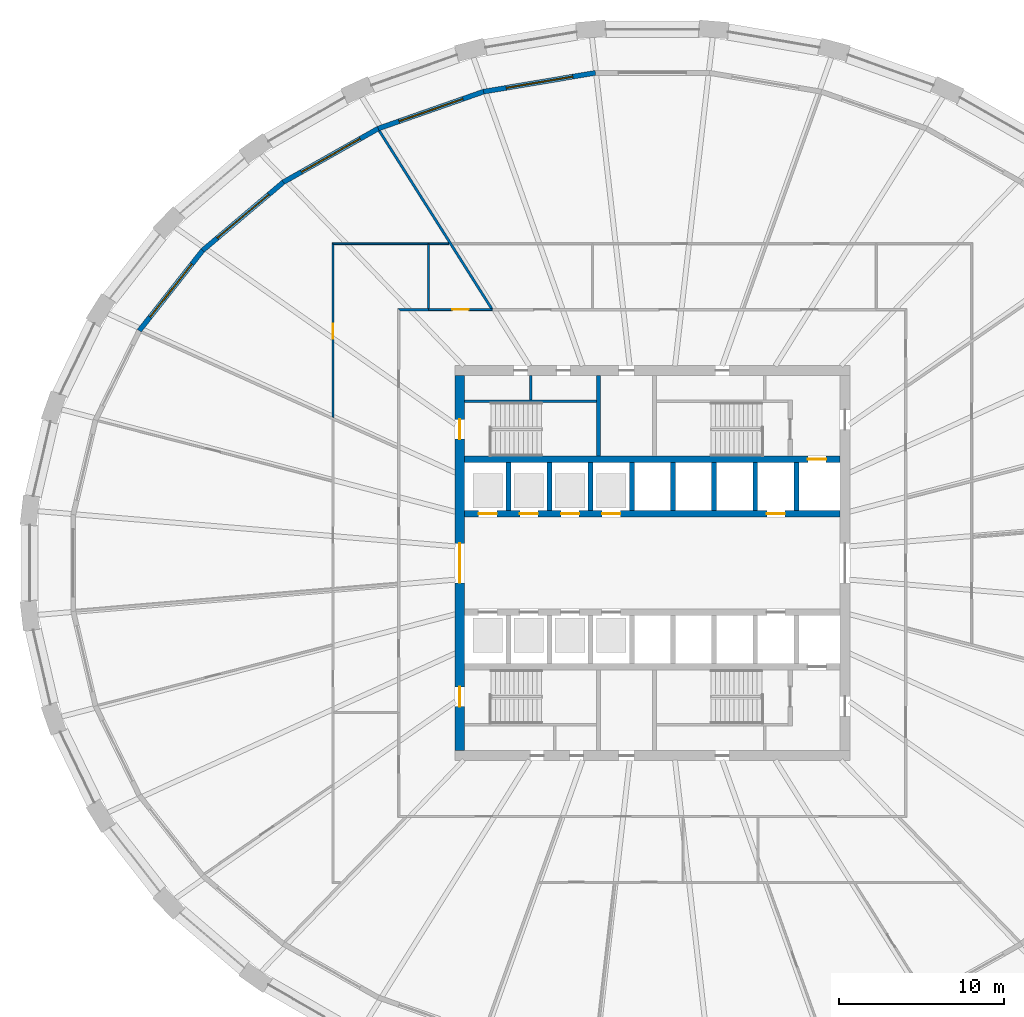
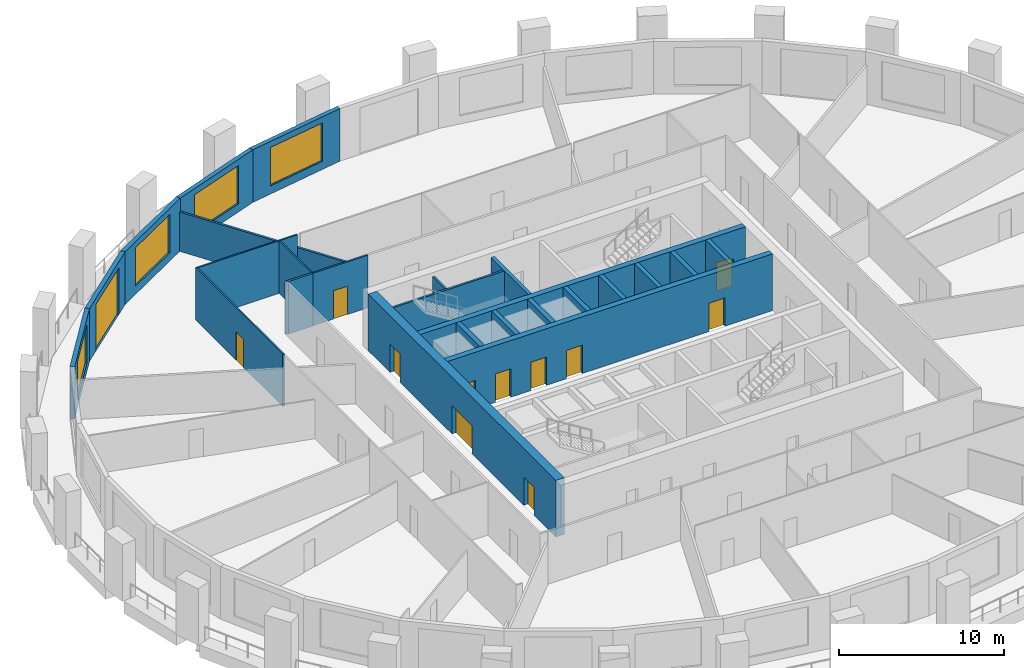
# One storey, part 6 of 12: 25 walls, 12 doors, 4 windows, 16 openings.
"""IFC4 building model written with IfcOpenShell, lengths in metres."""

from ifc_helpers import new_model, si_unit, direction, frame, frame_2d, origin, place, context, subcontext, project, spatial, polyline, rectangle, outline, extrude, material, layer, layer_set, type_object, element, fill, save


model = new_model("IFC4")

# Units and contexts
model_context = context("Model", 3, precision=1e-05, world=origin(), true_north=direction((0.0, 1.0)))
body_context = subcontext(model_context, "Body", "Model", "MODEL_VIEW")
ifc_project = project(units=[si_unit("LENGTHUNIT", "METRE"), si_unit("AREAUNIT", "SQUARE_METRE"), si_unit("VOLUMEUNIT", "CUBIC_METRE"), si_unit("PLANEANGLEUNIT", "RADIAN"), si_unit("MASSUNIT", "GRAM", prefix="KILO")], contexts=[model_context])

# Site, building, storey
site_placement = place(None, origin())
site = spatial("IfcSite", under=ifc_project, at=site_placement, CompositionType="ELEMENT")
building_placement = place(site_placement, origin())
building = spatial("IfcBuilding", under=site, at=building_placement, Name="Halqa Exchange Tower", CompositionType="ELEMENT")
storey_placement = place(building_placement, frame((0.0, 0.0, 27.699951171875)))
storey = spatial("IfcBuildingStorey", under=building, at=storey_placement, Name="L05", CompositionType="ELEMENT", Elevation=27.699951171875)

# Walls
ifc_material_1 = material(Name="Fire-rated gypsum board")
ifc_layer_1 = layer(ifc_material_1, 0.14990234375)
ifc_layer_set_1 = layer_set([ifc_layer_1], Name="Fire-rated gypsum board")
wall_type_1 = type_object("IfcWallType", Name="Fire partition EI 60 150", PredefinedType="PARTITIONING", material=ifc_layer_set_1)
wall_1_placement = place(storey_placement, frame((-16.59228515625, 26.260498046875, 0.0), z_axis=(0.0, 0.0, 1.0), x_axis=(0.534158681269, -0.845384234077, 0.0)))
element("IfcWall", 1, at=wall_1_placement, inside=storey, type_object=wall_type_1, Name="L05-PWL-013", PredefinedType="PARTITIONING", context=body_context, shape_type="SweptSolid", body=[
    extrude(outline(polyline([(0.0, -0.074951171875), (1.601806640625, -0.074951171875), (3.20361328125, -0.074951171875), (4.80517578125, -0.074951171875), (6.406982421875, -0.074951171875), (8.0087890625, -0.074951171875), (8.01025390625, -0.07275390625), (8.013916015625, -0.074951171875), (9.58544921875, -0.074951171875), (11.156982421875, -0.074951171875), (12.728515625, -0.074951171875), (12.78173828125, 0.009521484375), (12.78173828125, 0.009521484375), (12.796142578125, 0.031982421875), (12.783447265625, 0.0400390625), (12.805419921875, 0.074951171875), (12.805419921875, 0.074951171875), (11.277587890625, 0.074951171875), (9.749755859375, 0.074951171875), (8.2216796875, 0.074951171875), (8.22021484375, 0.072509765625), (8.216552734375, 0.074951171875), (6.577392578125, 0.074951171875), (4.9384765625, 0.074951171875), (3.29931640625, 0.074951171875), (1.660400390625, 0.074951171875), (0.021240234375, 0.074951171875), (0.00341796875, -0.003173828125), (0.0, -0.0703125), (0.0, -0.074951171875)])), origin(), (0.0, 0.0, 1.0), 2.91015625),
])
wall_2_placement = place(storey_placement, frame((-15.47509765625, 15.39990234375, 0.0), z_axis=(0.0, 0.0, 1.0), x_axis=(1.0, 0.0, 0.0)))
element("IfcWall", 2, at=wall_2_placement, inside=storey, type_object=wall_type_1, Name="L05-PWL-017", PredefinedType="PARTITIONING", context=body_context, shape_type="SweptSolid", body=[
    extrude(outline(polyline([(1.875, 0.074951171875), (0.000244140625, 0.074951171875), (0.150146484375, -0.074951171875), (1.875, -0.074951171875), (1.875, 0.074951171875)])), origin(), (0.0, 0.0, 1.0), 3.900146484375),
])

# Wall, opening, door
ifc_material_2 = material(Name="Fire-rated glazing", Category="glass")
ifc_layer_2 = layer(ifc_material_2, 0.1201171875)
ifc_layer_set_2 = layer_set([ifc_layer_2], Name="Fire-rated glazing")
wall_type_2 = type_object("IfcWallType", Name="Glazed fire partition EI 60 120", PredefinedType="PARTITIONING", material=ifc_layer_set_2)
wall_3_placement = place(storey_placement, frame((-13.60009765625, 15.39990234375, 0.0), z_axis=(0.0, 0.0, 1.0), x_axis=(1.0, 0.0, 0.0)))
wall_3 = element("IfcWall", 3, at=wall_3_placement, inside=storey, type_object=wall_type_2, Name="L05-PWL-019", PredefinedType="PARTITIONING", context=body_context, shape_type="SweptSolid", body=[
    extrude(rectangle(XDim=3.8701171875, YDim=0.1201171875, at=frame_2d((1.93505859375, 0.0))), origin(), (0.0, 0.0, 1.0), 3.900146484375),
])
opening_1_placement = place(wall_3_placement, frame((1.43505859375, 0.0, 0.0)))
opening_1 = element("IfcOpeningElement", 4, at=opening_1_placement, cuts=wall_3, Name="Opening 01-09", PredefinedType="OPENING", context=body_context, shape_type="SweptSolid", body=[
    extrude(rectangle(XDim=1.0, YDim=2.10009765625, at=frame_2d((0.5, 1.050048828125))), frame((0.0, 0.072021484375, 0.0), z_axis=(0.0, -1.0, 0.0), x_axis=(1.0, 0.0, 0.0)), (0.0, 0.0, 1.0), 0.14404296875),
])
ifc_material_3 = material(Name="Steel fire door leaf", Category="steel")
door_type_1 = type_object("IfcDoorType", Name="Fire door FD30S 1000 x 2100", OperationType="SINGLE_SWING_LEFT", PredefinedType="DOOR", material=ifc_material_3)
door_1_placement = place(opening_1_placement, origin())
door_1 = element("IfcDoor", 5, at=door_1_placement, inside=storey, type_object=door_type_1, Name="L05-IDR-009", OperationType="SINGLE_SWING_LEFT", OverallHeight=2.10009765625, OverallWidth=1.0, PredefinedType="DOOR", context=body_context, shape_type="SweptSolid", body=[
    extrude(rectangle(XDim=1.0, YDim=2.10009765625, at=frame_2d((0.5, 1.050048828125))), frame((0.0, 0.02490234375, 0.0), z_axis=(0.0, -1.0, 0.0), x_axis=(1.0, 0.0, 0.0)), (0.0, 0.0, 1.0), 0.050048828125),
])
fill(opening_1, door_1)

ifc_material_4 = material(Name="Gypsum board")
ifc_layer_3 = layer(ifc_material_4, 0.10009765625)
ifc_layer_set_3 = layer_set([ifc_layer_3], Name="Gypsum board")
wall_type_3 = type_object("IfcWallType", Name="Partition 100 gypsum", PredefinedType="PARTITIONING", material=ifc_layer_set_3)
wall_4_placement = place(storey_placement, frame((-19.39990234375, 8.8291015625, 0.0), z_axis=(0.0, 0.0, 1.0), x_axis=(0.0, 1.0, 0.0)))
wall_4 = element("IfcWall", 6, at=wall_4_placement, inside=storey, type_object=wall_type_3, Name="L05-PWL-010", PredefinedType="PARTITIONING", context=body_context, shape_type="SweptSolid", body=[
    extrude(outline(polyline([(0.0, -0.050048828125), (1.75341796875, -0.050048828125), (3.5068359375, -0.050048828125), (5.26025390625, -0.050048828125), (7.013916015625, -0.050048828125), (8.767333984375, -0.050048828125), (10.520751953125, -0.050048828125), (10.52099609375, -0.0498046875), (10.620849609375, 0.050048828125), (8.858154296875, 0.050048828125), (7.095458984375, 0.050048828125), (5.332763671875, 0.050048828125), (3.570068359375, 0.050048828125), (1.8076171875, 0.050048828125), (0.044921875, 0.050048828125), (0.0, -0.049072265625), (0.0, -0.050048828125)])), origin(), (0.0, 0.0, 1.0), 3.900146484375),
])
opening_2_placement = place(wall_4_placement, frame((4.805908203125, 0.0, 0.0)))
opening_2 = element("IfcOpeningElement", 7, at=opening_2_placement, cuts=wall_4, Name="Opening 01-22", PredefinedType="OPENING", context=body_context, shape_type="SweptSolid", body=[
    extrude(rectangle(XDim=0.89990234375, YDim=2.10009765625, at=frame_2d((0.449951171875, 1.050048828125))), frame((0.0, 0.06201171875, 0.0), z_axis=(0.0, -1.0, 0.0), x_axis=(1.0, 0.0, 0.0)), (0.0, 0.0, 1.0), 0.1240234375),
])
ifc_material_5 = material(Name="Timber door leaf", Category="wood")
door_type_2 = type_object("IfcDoorType", Name="Door 900 x 2100", OperationType="SINGLE_SWING_LEFT", PredefinedType="DOOR", material=ifc_material_5)
door_2_placement = place(opening_2_placement, frame((0.89990234375, 0.0, 0.0), z_axis=(0.0, 0.0, 1.0), x_axis=(-1.0, 0.0, 0.0)))
door_2 = element("IfcDoor", 8, at=door_2_placement, inside=storey, type_object=door_type_2, Name="L05-IDR-022", OperationType="SINGLE_SWING_RIGHT", OverallHeight=2.10009765625, OverallWidth=0.89990234375, PredefinedType="DOOR", context=body_context, shape_type="SweptSolid", body=[
    extrude(rectangle(XDim=0.89990234375, YDim=2.10009765625, at=frame_2d((0.449951171875, 1.050048828125))), frame((0.0, 0.02490234375, 0.0), z_axis=(0.0, -1.0, 0.0), x_axis=(1.0, 0.0, 0.0)), (0.0, 0.0, 1.0), 0.050048828125),
])
fill(opening_2, door_2)

# Walls
wall_5_placement = place(storey_placement, frame((-19.449951171875, 19.39990234375, 0.0), z_axis=(0.0, 0.0, 1.0), x_axis=(1.0, 0.0, 0.0)))
element("IfcWall", 9, at=wall_5_placement, inside=storey, type_object=wall_type_3, Name="L05-PWL-011", PredefinedType="PARTITIONING", context=body_context, shape_type="SweptSolid", body=[
    extrude(outline(polyline([(7.074951171875, 0.050048828125), (5.30615234375, 0.050048828125), (3.53759765625, 0.050048828125), (1.768798828125, 0.050048828125), (0.0, 0.050048828125), (0.10009765625, -0.050048828125), (1.84375, -0.050048828125), (3.58740234375, -0.050048828125), (5.331298828125, -0.050048828125), (7.074951171875, -0.050048828125), (7.074951171875, 0.050048828125)])), origin(), (0.0, 0.0, 1.0), 3.900146484375),
])
wall_6_placement = place(storey_placement, frame((-13.60009765625, 19.35009765625, 0.0), z_axis=(0.0, 0.0, 1.0), x_axis=(0.0, -1.0, 0.0)))
element("IfcWall", 10, at=wall_6_placement, inside=storey, type_object=wall_type_3, Name="L05-PWL-020", PredefinedType="PARTITIONING", context=body_context, shape_type="SweptSolid", body=[
    extrude(outline(polyline([(0.0, -0.050048828125), (1.9375, -0.050048828125), (3.875, -0.050048828125), (3.875, 0.0), (3.8896484375, 0.0), (3.8896484375, 0.050048828125), (1.94482421875, 0.050048828125), (0.0, 0.050048828125), (0.0, -0.050048828125)])), origin(), (0.0, 0.0, 1.0), 3.900146484375),
])
ifc_layer_4 = layer(ifc_material_4, 0.14990234375)
ifc_layer_set_4 = layer_set([ifc_layer_4], Name="Gypsum board")
wall_type_4 = type_object("IfcWallType", Name="Penthouse riser wall 150 gypsum", PredefinedType="PARTITIONING", material=ifc_layer_set_4)
wall_7_placement = place(storey_placement, frame((-7.39990234375, 9.89990234375, 0.0), z_axis=(0.0, 0.0, 1.0), x_axis=(0.0, 1.0, 0.0)))
element("IfcWall", 11, at=wall_7_placement, inside=storey, type_object=wall_type_4, Name="Partition W7.400 N", PredefinedType="PARTITIONING", context=body_context, shape_type="SweptSolid", body=[
    extrude(rectangle(XDim=1.5, YDim=0.14990234375, at=frame_2d((0.75, 0.0))), origin(), (0.0, 0.0, 1.0), 3.900146484375),
])
ifc_material_6 = material(Name="Concrete C60/75", Category="concrete")
ifc_layer_5 = layer(ifc_material_6, 0.300048828125)
ifc_layer_set_5 = layer_set([ifc_layer_5], Name="Concrete C60/75")
wall_type_5 = type_object("IfcWallType", Name="RC core wall 300", PredefinedType="SHEAR", material=ifc_layer_set_5)
for number, where, z_axis, x_axis, name in (
    (12, (-8.75, 3.199951171875, 0.0), (0.0, 0.0, 1.0), (0.0, 1.0, 0.0), "Shaft divider N1"),
    (13, (-6.25, 3.199951171875, 0.0), (0.0, 0.0, 1.0), (0.0, 1.0, 0.0), "Shaft divider N2"),
    (14, (-3.75, 3.199951171875, 0.0), (0.0, 0.0, 1.0), (0.0, 1.0, 0.0), "Shaft divider N3"),
    (15, (-1.25, 3.199951171875, 0.0), (0.0, 0.0, 1.0), (0.0, 1.0, 0.0), "Shaft divider N4"),
    (16, (1.25, 3.199951171875, 0.0), (0.0, 0.0, 1.0), (0.0, 1.0, 0.0), "Shaft divider N5"),
    (17, (3.75, 3.199951171875, 0.0), (0.0, 0.0, 1.0), (0.0, 1.0, 0.0), "Shaft divider N6"),
    (18, (6.25, 3.199951171875, 0.0), (0.0, 0.0, 1.0), (0.0, 1.0, 0.0), "Shaft divider N7"),
    (19, (8.75, 3.199951171875, 0.0), (0.0, 0.0, 1.0), (0.0, 1.0, 0.0), "Shaft divider N8"),
):
    element("IfcWall", number, at=place(storey_placement, frame(where, z_axis=z_axis, x_axis=x_axis)), inside=storey, type_object=wall_type_5, Name=name, PredefinedType="SHEAR", context=body_context, shape_type="SweptSolid", body=[
        extrude(rectangle(XDim=2.900146484375, YDim=0.300048828125, at=frame_2d((1.4501953125, 0.0))), origin(), (0.0, 0.0, 1.0), 4.199951171875),
    ])

# Wall, openings, doors
ifc_material_7 = material(Name="Concrete C80/95", Category="concrete")
ifc_layer_6 = layer(ifc_material_7, 0.39990234375)
ifc_layer_set_6 = layer_set([ifc_layer_6], Name="Concrete C80/95")
wall_type_6 = type_object("IfcWallType", Name="RC core wall 400 C80/95", PredefinedType="SHEAR", material=ifc_layer_set_6)
wall_8_placement = place(storey_placement, frame((-11.39990234375, 3.0, 0.0), z_axis=(0.0, 0.0, 1.0), x_axis=(1.0, 0.0, 0.0)))
wall_8 = element("IfcWall", 20, at=wall_8_placement, inside=storey, type_object=wall_type_6, Name="Lift row front wall N", PredefinedType="SHEAR", context=body_context, shape_type="SweptSolid", body=[
    extrude(rectangle(XDim=22.7998046875, YDim=0.39990234375, at=frame_2d((11.39990234375, 0.0))), origin(), (0.0, 0.0, 1.0), 4.199951171875),
])
opening_3_placement = place(wall_8_placement, frame((0.85009765625, 0.0, 0.0)))
opening_3 = element("IfcOpeningElement", 21, at=opening_3_placement, cuts=wall_8, Name="Opening LD-LR1-T01", PredefinedType="OPENING", context=body_context, shape_type="SweptSolid", body=[
    extrude(rectangle(XDim=1.10009765625, YDim=2.10009765625, at=frame_2d((0.550048828125, 1.050048828125))), frame((0.0, 0.2119140625, 0.0), z_axis=(0.0, -1.0, 0.0), x_axis=(1.0, 0.0, 0.0)), (0.0, 0.0, 1.0), 0.423828125),
])
opening_4_placement = place(wall_8_placement, frame((3.35009765625, 0.0, 0.0)))
opening_4 = element("IfcOpeningElement", 22, at=opening_4_placement, cuts=wall_8, Name="Opening LD-LR2-T01", PredefinedType="OPENING", context=body_context, shape_type="SweptSolid", body=[
    extrude(rectangle(XDim=1.10009765625, YDim=2.10009765625, at=frame_2d((0.550048828125, 1.050048828125))), frame((0.0, 0.2119140625, 0.0), z_axis=(0.0, -1.0, 0.0), x_axis=(1.0, 0.0, 0.0)), (0.0, 0.0, 1.0), 0.423828125),
])
opening_5_placement = place(wall_8_placement, frame((5.85009765625, 0.0, 0.0)))
opening_5 = element("IfcOpeningElement", 23, at=opening_5_placement, cuts=wall_8, Name="Opening LD-LR3-T01", PredefinedType="OPENING", context=body_context, shape_type="SweptSolid", body=[
    extrude(rectangle(XDim=1.10009765625, YDim=2.10009765625, at=frame_2d((0.550048828125, 1.050048828125))), frame((0.0, 0.2119140625, 0.0), z_axis=(0.0, -1.0, 0.0), x_axis=(1.0, 0.0, 0.0)), (0.0, 0.0, 1.0), 0.423828125),
])
opening_6_placement = place(wall_8_placement, frame((8.35009765625, 0.0, 0.0)))
opening_6 = element("IfcOpeningElement", 24, at=opening_6_placement, cuts=wall_8, Name="Opening LD-LR4-T01", PredefinedType="OPENING", context=body_context, shape_type="SweptSolid", body=[
    extrude(rectangle(XDim=1.10009765625, YDim=2.10009765625, at=frame_2d((0.550048828125, 1.050048828125))), frame((0.0, 0.2119140625, 0.0), z_axis=(0.0, -1.0, 0.0), x_axis=(1.0, 0.0, 0.0)), (0.0, 0.0, 1.0), 0.423828125),
])
opening_7_placement = place(wall_8_placement, frame((18.35009765625, 0.0, 0.0)))
opening_7 = element("IfcOpeningElement", 25, at=opening_7_placement, cuts=wall_8, Name="Opening LD-SV1-T01", PredefinedType="OPENING", context=body_context, shape_type="SweptSolid", body=[
    extrude(rectangle(XDim=1.10009765625, YDim=2.10009765625, at=frame_2d((0.550048828125, 1.050048828125))), frame((0.0, 0.2119140625, 0.0), z_axis=(0.0, -1.0, 0.0), x_axis=(1.0, 0.0, 0.0)), (0.0, 0.0, 1.0), 0.423828125),
])
ifc_material_8 = material(Name="Stainless steel", Category="steel")
door_type_3 = type_object("IfcDoorType", Name="Lift landing door 1100 x 2100", OperationType="SLIDING_TO_LEFT", PredefinedType="DOOR", material=ifc_material_8)
door_3_placement = place(opening_3_placement, origin())
door_3 = element("IfcDoor", 26, at=door_3_placement, inside=storey, type_object=door_type_3, Name="Lift landing door LR1", OperationType="SLIDING_TO_LEFT", OverallHeight=2.10009765625, OverallWidth=1.10009765625, PredefinedType="DOOR", context=body_context, shape_type="SweptSolid", body=[
    extrude(rectangle(XDim=1.10009765625, YDim=2.10009765625, at=frame_2d((0.550048828125, 1.050048828125))), frame((0.0, 0.02490234375, 0.0), z_axis=(0.0, -1.0, 0.0), x_axis=(1.0, 0.0, 0.0)), (0.0, 0.0, 1.0), 0.050048828125),
])
fill(opening_3, door_3)
door_4_placement = place(opening_4_placement, origin())
door_4 = element("IfcDoor", 27, at=door_4_placement, inside=storey, type_object=door_type_3, Name="Lift landing door LR2", OperationType="SLIDING_TO_LEFT", OverallHeight=2.10009765625, OverallWidth=1.10009765625, PredefinedType="DOOR", context=body_context, shape_type="SweptSolid", body=[
    extrude(rectangle(XDim=1.10009765625, YDim=2.10009765625, at=frame_2d((0.550048828125, 1.050048828125))), frame((0.0, 0.02490234375, 0.0), z_axis=(0.0, -1.0, 0.0), x_axis=(1.0, 0.0, 0.0)), (0.0, 0.0, 1.0), 0.050048828125),
])
fill(opening_4, door_4)
door_5_placement = place(opening_5_placement, origin())
door_5 = element("IfcDoor", 28, at=door_5_placement, inside=storey, type_object=door_type_3, Name="Lift landing door LR3", OperationType="SLIDING_TO_LEFT", OverallHeight=2.10009765625, OverallWidth=1.10009765625, PredefinedType="DOOR", context=body_context, shape_type="SweptSolid", body=[
    extrude(rectangle(XDim=1.10009765625, YDim=2.10009765625, at=frame_2d((0.550048828125, 1.050048828125))), frame((0.0, 0.02490234375, 0.0), z_axis=(0.0, -1.0, 0.0), x_axis=(1.0, 0.0, 0.0)), (0.0, 0.0, 1.0), 0.050048828125),
])
fill(opening_5, door_5)
door_6_placement = place(opening_6_placement, origin())
door_6 = element("IfcDoor", 29, at=door_6_placement, inside=storey, type_object=door_type_3, Name="Lift landing door LR4", OperationType="SLIDING_TO_LEFT", OverallHeight=2.10009765625, OverallWidth=1.10009765625, PredefinedType="DOOR", context=body_context, shape_type="SweptSolid", body=[
    extrude(rectangle(XDim=1.10009765625, YDim=2.10009765625, at=frame_2d((0.550048828125, 1.050048828125))), frame((0.0, 0.02490234375, 0.0), z_axis=(0.0, -1.0, 0.0), x_axis=(1.0, 0.0, 0.0)), (0.0, 0.0, 1.0), 0.050048828125),
])
fill(opening_6, door_6)
door_7_placement = place(opening_7_placement, origin())
door_7 = element("IfcDoor", 30, at=door_7_placement, inside=storey, type_object=door_type_3, Name="Lift landing door SV1", OperationType="SLIDING_TO_LEFT", OverallHeight=2.10009765625, OverallWidth=1.10009765625, PredefinedType="DOOR", context=body_context, shape_type="SweptSolid", body=[
    extrude(rectangle(XDim=1.10009765625, YDim=2.10009765625, at=frame_2d((0.550048828125, 1.050048828125))), frame((0.0, 0.02490234375, 0.0), z_axis=(0.0, -1.0, 0.0), x_axis=(1.0, 0.0, 0.0)), (0.0, 0.0, 1.0), 0.050048828125),
])
fill(opening_7, door_7)

# Wall, opening, door
wall_9_placement = place(storey_placement, frame((-11.39990234375, 6.300048828125, 0.0), z_axis=(0.0, 0.0, 1.0), x_axis=(1.0, 0.0, 0.0)))
wall_9 = element("IfcWall", 31, at=wall_9_placement, inside=storey, type_object=wall_type_6, Name="Lift row back wall N", PredefinedType="SHEAR", context=body_context, shape_type="SweptSolid", body=[
    extrude(rectangle(XDim=22.7998046875, YDim=0.39990234375, at=frame_2d((11.39990234375, 0.0))), origin(), (0.0, 0.0, 1.0), 4.199951171875),
])
opening_8_placement = place(wall_9_placement, frame((20.85009765625, 0.0, 0.0)))
opening_8 = element("IfcOpeningElement", 32, at=opening_8_placement, cuts=wall_9, Name="Opening LD-FF1-T01", PredefinedType="OPENING", context=body_context, shape_type="SweptSolid", body=[
    extrude(rectangle(XDim=1.10009765625, YDim=2.10009765625, at=frame_2d((0.550048828125, 1.050048828125))), frame((0.0, 0.2119140625, 0.0), z_axis=(0.0, -1.0, 0.0), x_axis=(1.0, 0.0, 0.0)), (0.0, 0.0, 1.0), 0.423828125),
])
door_8_placement = place(opening_8_placement, origin())
door_8 = element("IfcDoor", 33, at=door_8_placement, inside=storey, type_object=door_type_3, Name="Lift landing door FF1", OperationType="SLIDING_TO_LEFT", OverallHeight=2.10009765625, OverallWidth=1.10009765625, PredefinedType="DOOR", context=body_context, shape_type="SweptSolid", body=[
    extrude(rectangle(XDim=1.10009765625, YDim=2.10009765625, at=frame_2d((0.550048828125, 1.050048828125))), frame((0.0, 0.02490234375, 0.0), z_axis=(0.0, -1.0, 0.0), x_axis=(1.0, 0.0, 0.0)), (0.0, 0.0, 1.0), 0.050048828125),
])
fill(opening_8, door_8)

# Wall, openings, doors
ifc_layer_7 = layer(ifc_material_7, 0.60009765625)
ifc_layer_set_7 = layer_set([ifc_layer_7], Name="Concrete C80/95")
wall_type_7 = type_object("IfcWallType", Name="RC core wall 600 C80/95", PredefinedType="SHEAR", material=ifc_layer_set_7)
wall_10_placement = place(storey_placement, frame((-11.699951171875, -11.39990234375, 0.0), z_axis=(0.0, 0.0, 1.0), x_axis=(0.0, 1.0, 0.0)))
wall_10 = element("IfcWall", 34, at=wall_10_placement, inside=storey, type_object=wall_type_7, Name="Core wall west", PredefinedType="SHEAR", context=body_context, shape_type="SweptSolid", body=[
    extrude(rectangle(XDim=22.7998046875, YDim=0.60009765625, at=frame_2d((11.39990234375, 0.0))), origin(), (0.0, 0.0, 1.0), 4.199951171875),
])
opening_9_placement = place(wall_10_placement, frame((10.199951171875, 0.0, 0.0)))
opening_9 = element("IfcOpeningElement", 35, at=opening_9_placement, cuts=wall_10, Name="Opening T01-C13", PredefinedType="OPENING", context=body_context, shape_type="SweptSolid", body=[
    extrude(rectangle(XDim=2.39990234375, YDim=2.10009765625, at=frame_2d((1.199951171875, 1.050048828125))), frame((0.0, 0.31201171875, 0.0), z_axis=(0.0, -1.0, 0.0), x_axis=(1.0, 0.0, 0.0)), (0.0, 0.0, 1.0), 0.6240234375),
])
opening_10_placement = place(wall_10_placement, frame((18.925048828125, 0.0, 0.0)))
opening_10 = element("IfcOpeningElement", 36, at=opening_10_placement, cuts=wall_10, Name="Opening T01-C15", PredefinedType="OPENING", context=body_context, shape_type="SweptSolid", body=[
    extrude(rectangle(XDim=1.199951171875, YDim=2.10009765625, at=frame_2d((0.60009765625, 1.050048828125))), frame((0.0, 0.31201171875, 0.0), z_axis=(0.0, -1.0, 0.0), x_axis=(1.0, 0.0, 0.0)), (0.0, 0.0, 1.0), 0.6240234375),
])
opening_11_placement = place(wall_10_placement, frame((2.675048828125, 0.0, 0.0)))
opening_11 = element("IfcOpeningElement", 37, at=opening_11_placement, cuts=wall_10, Name="Opening T01-C17", PredefinedType="OPENING", context=body_context, shape_type="SweptSolid", body=[
    extrude(rectangle(XDim=1.199951171875, YDim=2.10009765625, at=frame_2d((0.60009765625, 1.050048828125))), frame((0.0, 0.31201171875, 0.0), z_axis=(0.0, -1.0, 0.0), x_axis=(1.0, 0.0, 0.0)), (0.0, 0.0, 1.0), 0.6240234375),
])
door_type_4 = type_object("IfcDoorType", Name="Lobby double door FD60 2400 x 2100", OperationType="DOUBLE_DOOR_SINGLE_SWING", PredefinedType="DOOR", material=ifc_material_3)
door_9_placement = place(opening_9_placement, frame((2.39990234375, 0.0, 0.0), z_axis=(0.0, 0.0, 1.0), x_axis=(-1.0, 0.0, 0.0)))
door_9 = element("IfcDoor", 38, at=door_9_placement, inside=storey, type_object=door_type_4, Name="Lift lobby double door", OperationType="DOUBLE_DOOR_SINGLE_SWING", OverallHeight=2.10009765625, OverallWidth=2.39990234375, PredefinedType="DOOR", context=body_context, shape_type="SweptSolid", body=[
    extrude(rectangle(XDim=2.39990234375, YDim=2.10009765625, at=frame_2d((1.199951171875, 1.050048828125))), frame((0.0, 0.02490234375, 0.0), z_axis=(0.0, -1.0, 0.0), x_axis=(1.0, 0.0, 0.0)), (0.0, 0.0, 1.0), 0.050048828125),
])
fill(opening_9, door_9)
door_type_5 = type_object("IfcDoorType", Name="Stair door FD90 1200 x 2100", OperationType="SINGLE_SWING_LEFT", PredefinedType="DOOR", material=ifc_material_3)
door_10_placement = place(opening_10_placement, frame((1.199951171875, 0.0, 0.0), z_axis=(0.0, 0.0, 1.0), x_axis=(-1.0, 0.0, 0.0)))
door_10 = element("IfcDoor", 39, at=door_10_placement, inside=storey, type_object=door_type_5, Name="Stair door ST1", OperationType="SINGLE_SWING_LEFT", OverallHeight=2.10009765625, OverallWidth=1.199951171875, PredefinedType="DOOR", context=body_context, shape_type="SweptSolid", body=[
    extrude(rectangle(XDim=1.199951171875, YDim=2.10009765625, at=frame_2d((0.60009765625, 1.050048828125))), frame((0.0, 0.02490234375, 0.0), z_axis=(0.0, -1.0, 0.0), x_axis=(1.0, 0.0, 0.0)), (0.0, 0.0, 1.0), 0.050048828125),
])
fill(opening_10, door_10)
door_11_placement = place(opening_11_placement, frame((1.199951171875, 0.0, 0.0), z_axis=(0.0, 0.0, 1.0), x_axis=(-1.0, 0.0, 0.0)))
door_11 = element("IfcDoor", 40, at=door_11_placement, inside=storey, type_object=door_type_5, Name="Stair door ST3", OperationType="SINGLE_SWING_LEFT", OverallHeight=2.10009765625, OverallWidth=1.199951171875, PredefinedType="DOOR", context=body_context, shape_type="SweptSolid", body=[
    extrude(rectangle(XDim=1.199951171875, YDim=2.10009765625, at=frame_2d((0.60009765625, 1.050048828125))), frame((0.0, 0.02490234375, 0.0), z_axis=(0.0, -1.0, 0.0), x_axis=(1.0, 0.0, 0.0)), (0.0, 0.0, 1.0), 0.050048828125),
])
fill(opening_11, door_11)

# Walls
ifc_material_9 = material(Name="Concrete C30/37", Category="concrete")
ifc_layer_8 = layer(ifc_material_9, 0.14990234375)
ifc_layer_set_8 = layer_set([ifc_layer_8], Name="Concrete C30/37")
wall_type_8 = type_object("IfcWallType", Name="RC stair wall 150 C30/37", PredefinedType="SHEAR", material=ifc_layer_set_8)
wall_11_placement = place(storey_placement, frame((-11.39990234375, 9.824951171875, 0.0), z_axis=(0.0, 0.0, 1.0), x_axis=(1.0, 0.0, 0.0)))
element("IfcWall", 41, at=wall_11_placement, inside=storey, type_object=wall_type_8, Name="Stair ST1 north wall N", PredefinedType="SHEAR", context=body_context, shape_type="SweptSolid", body=[
    extrude(rectangle(XDim=8.0, YDim=0.14990234375, at=frame_2d((4.0, 0.0))), origin(), (0.0, 0.0, 1.0), 3.900146484375),
])
ifc_layer_9 = layer(ifc_material_9, 0.25)
ifc_layer_set_9 = layer_set([ifc_layer_9], Name="Concrete C30/37")
wall_type_9 = type_object("IfcWallType", Name="RC stair wall 250 C30/37", PredefinedType="SHEAR", material=ifc_layer_set_9)
wall_12_placement = place(storey_placement, frame((-3.27490234375, 6.5, 0.0), z_axis=(0.0, 0.0, 1.0), x_axis=(0.0, 1.0, 0.0)))
element("IfcWall", 42, at=wall_12_placement, inside=storey, type_object=wall_type_9, Name="Stair ST1 east wall N", PredefinedType="SHEAR", context=body_context, shape_type="SweptSolid", body=[
    extrude(rectangle(XDim=4.89990234375, YDim=0.25, at=frame_2d((2.449951171875, 0.0))), origin(), (0.0, 0.0, 1.0), 3.900146484375),
])

# Wall, opening, window
ifc_material_10 = material(Name="Limestone cladding", Category="masonry")
ifc_layer_10 = layer(ifc_material_10, 0.0400390625)
ifc_material_11 = material(Name="Ventilated cavity")
ifc_layer_11 = layer(ifc_material_11, 0.030029296875, ventilated=True)
ifc_material_12 = material(Name="Mineral wool insulation")
ifc_layer_12 = layer(ifc_material_12, 0.10009765625)
ifc_layer_13 = layer(ifc_material_9, 0.10009765625)
ifc_material_13 = material(Name="Internal plaster")
ifc_layer_14 = layer(ifc_material_13, 0.030029296875)
ifc_layer_set_10 = layer_set([ifc_layer_10, ifc_layer_11, ifc_layer_12, ifc_layer_13, ifc_layer_14], Name="Stone-faced insulated wall 300")
wall_type_10 = type_object("IfcWallType", Name="Stone-faced insulated wall 300", PredefinedType="STANDARD", material=ifc_layer_set_10)
wall_13_placement = place(storey_placement, frame((-3.462646484375, 29.778076171875, 0.0), z_axis=(0.0, 0.0, 1.0), x_axis=(-0.986141805867, -0.165904607291, 0.0)))
wall_13 = element("IfcWall", 43, at=wall_13_placement, inside=storey, type_object=wall_type_10, Name="Glass-line wall 9", PredefinedType="STANDARD", context=body_context, shape_type="SweptSolid", body=[
    extrude(outline(polyline([(-0.012451171875, -0.14990234375), (6.901123046875, -0.14990234375), (6.875732421875, 0.14990234375), (0.012451171875, 0.14990234375), (-0.012451171875, -0.14990234375)])), origin(), (0.0, 0.0, 1.0), 3.900146484375),
])
opening_12_placement = place(wall_13_placement, frame((1.39404296875, 0.0, 0.60009765625)))
opening_12 = element("IfcOpeningElement", 44, at=opening_12_placement, cuts=wall_13, Name="Opening W-F1-09", PredefinedType="OPENING", context=body_context, shape_type="SweptSolid", body=[
    extrude(rectangle(XDim=4.10009765625, YDim=2.85009765625, at=frame_2d((2.050048828125, 1.425048828125))), frame((0.0, 0.162109375, 0.0), z_axis=(0.0, -1.0, 0.0), x_axis=(1.0, 0.0, 0.0)), (0.0, 0.0, 1.0), 0.323974609375),
])
ifc_material_14 = material(Name="Clear low-emissivity glass in aluminium frame", Category="aluminium")
window_type = type_object("IfcWindowType", Name="Fixed clear glazed window 4100 x 2850", PartitioningType="TRIPLE_PANEL_VERTICAL", PredefinedType="WINDOW", material=ifc_material_14)
window_1_placement = place(opening_12_placement, origin())
window_1 = element("IfcWindow", 45, at=window_1_placement, inside=storey, type_object=window_type, Name="Window 1", OverallHeight=2.85009765625, OverallWidth=4.10009765625, PartitioningType="TRIPLE_PANEL_VERTICAL", PredefinedType="WINDOW", context=body_context, shape_type="SweptSolid", body=[
    extrude(rectangle(XDim=4.10009765625, YDim=2.85009765625, at=frame_2d((2.050048828125, 1.425048828125))), frame((0.0, 0.030029296875, 0.0), z_axis=(0.0, -1.0, 0.0), x_axis=(1.0, 0.0, 0.0)), (0.0, 0.0, 1.0), 0.06005859375),
])
fill(opening_12, window_1)

wall_14_placement = place(storey_placement, frame((-10.255615234375, 28.63525390625, 0.0), z_axis=(0.0, 0.0, 1.0), x_axis=(-0.943767392455, -0.330610206947, 0.0)))
wall_14 = element("IfcWall", 46, at=wall_14_placement, inside=storey, type_object=wall_type_10, Name="Glass-line wall 10", PredefinedType="STANDARD", context=body_context, shape_type="SweptSolid", body=[
    extrude(outline(polyline([(-0.0126953125, -0.14990234375), (6.794677734375, -0.14990234375), (6.767822265625, 0.14990234375), (0.0126953125, 0.14990234375), (-0.0126953125, -0.14990234375)])), origin(), (0.0, 0.0, 1.0), 3.900146484375),
])
opening_13_placement = place(wall_14_placement, frame((1.340576171875, 0.0, 0.60009765625)))
opening_13 = element("IfcOpeningElement", 47, at=opening_13_placement, cuts=wall_14, Name="Opening W-F1-10", PredefinedType="OPENING", context=body_context, shape_type="SweptSolid", body=[
    extrude(rectangle(XDim=4.10009765625, YDim=2.85009765625, at=frame_2d((2.050048828125, 1.425048828125))), frame((0.0, 0.162109375, 0.0), z_axis=(0.0, -1.0, 0.0), x_axis=(1.0, 0.0, 0.0)), (0.0, 0.0, 1.0), 0.323974609375),
])
window_2_placement = place(opening_13_placement, origin())
window_2 = element("IfcWindow", 48, at=window_2_placement, inside=storey, type_object=window_type, Name="Window 1", OverallHeight=2.85009765625, OverallWidth=4.10009765625, PartitioningType="TRIPLE_PANEL_VERTICAL", PredefinedType="WINDOW", context=body_context, shape_type="SweptSolid", body=[
    extrude(rectangle(XDim=4.10009765625, YDim=2.85009765625, at=frame_2d((2.050048828125, 1.425048828125))), frame((0.0, 0.030029296875, 0.0), z_axis=(0.0, -1.0, 0.0), x_axis=(1.0, 0.0, 0.0)), (0.0, 0.0, 1.0), 0.06005859375),
])
fill(opening_13, window_2)

wall_15_placement = place(storey_placement, frame((-16.655517578125, 26.393310546875, 0.0), z_axis=(0.0, 0.0, 1.0), x_axis=(-0.8705786416, -0.492029296678, 0.0)))
wall_15 = element("IfcWall", 49, at=wall_15_placement, inside=storey, type_object=wall_type_10, Name="Glass-line wall 11", PredefinedType="STANDARD", context=body_context, shape_type="SweptSolid", body=[
    extrude(outline(polyline([(-0.013427734375, -0.14990234375), (6.6318359375, -0.14990234375), (6.603515625, 0.14990234375), (0.013427734375, 0.14990234375), (-0.013427734375, -0.14990234375)])), origin(), (0.0, 0.0, 1.0), 3.900146484375),
])
opening_14_placement = place(wall_15_placement, frame((1.2587890625, 0.0, 0.60009765625)))
opening_14 = element("IfcOpeningElement", 50, at=opening_14_placement, cuts=wall_15, Name="Opening W-F1-11", PredefinedType="OPENING", context=body_context, shape_type="SweptSolid", body=[
    extrude(rectangle(XDim=4.10009765625, YDim=2.85009765625, at=frame_2d((2.050048828125, 1.425048828125))), frame((0.0, 0.162109375, 0.0), z_axis=(0.0, -1.0, 0.0), x_axis=(1.0, 0.0, 0.0)), (0.0, 0.0, 1.0), 0.323974609375),
])
window_3_placement = place(opening_14_placement, origin())
window_3 = element("IfcWindow", 51, at=window_3_placement, inside=storey, type_object=window_type, Name="Window 1", OverallHeight=2.85009765625, OverallWidth=4.10009765625, PartitioningType="TRIPLE_PANEL_VERTICAL", PredefinedType="WINDOW", context=body_context, shape_type="SweptSolid", body=[
    extrude(rectangle(XDim=4.10009765625, YDim=2.85009765625, at=frame_2d((2.050048828125, 1.425048828125))), frame((0.0, 0.030029296875, 0.0), z_axis=(0.0, -1.0, 0.0), x_axis=(1.0, 0.0, 0.0)), (0.0, 0.0, 1.0), 0.06005859375),
])
fill(opening_14, window_3)

# Wall, opening, door
wall_16_placement = place(storey_placement, frame((-22.416748046875, 23.13720703125, 0.0), z_axis=(0.0, 0.0, 1.0), x_axis=(-0.763540615407, -0.645759807223, 0.0)))
wall_16 = element("IfcWall", 52, at=wall_16_placement, inside=storey, type_object=wall_type_10, Name="Glass-line wall 12", PredefinedType="STANDARD", context=body_context, shape_type="SweptSolid", body=[
    extrude(outline(polyline([(-0.01416015625, -0.14990234375), (6.434814453125, -0.14990234375), (6.404541015625, 0.14990234375), (0.01416015625, 0.14990234375), (-0.01416015625, -0.14990234375)])), origin(), (0.0, 0.0, 1.0), 3.900146484375),
])
opening_15_placement = place(wall_16_placement, frame((1.159912109375, 0.0, 0.0)))
opening_15 = element("IfcOpeningElement", 53, at=opening_15_placement, cuts=wall_16, Name="Opening LG-F1-03", PredefinedType="OPENING", context=body_context, shape_type="SweptSolid", body=[
    extrude(rectangle(XDim=4.10009765625, YDim=3.449951171875, at=frame_2d((2.050048828125, 1.72509765625))), frame((0.0, 0.162109375, 0.0), z_axis=(0.0, -1.0, 0.0), x_axis=(1.0, 0.0, 0.0)), (0.0, 0.0, 1.0), 0.323974609375),
])
door_type_6 = type_object("IfcDoorType", Name="Glazed sliding loggia door 4100 x 3450", OperationType="DOUBLE_DOOR_SLIDING", PredefinedType="DOOR", material=ifc_material_14)
door_12_placement = place(opening_15_placement, origin())
door_12 = element("IfcDoor", 54, at=door_12_placement, inside=storey, type_object=door_type_6, Name="Loggia door 3", OperationType="DOUBLE_DOOR_SLIDING", OverallHeight=3.449951171875, OverallWidth=4.10009765625, PredefinedType="DOOR", context=body_context, shape_type="SweptSolid", body=[
    extrude(rectangle(XDim=4.10009765625, YDim=3.449951171875, at=frame_2d((2.050048828125, 1.72509765625))), frame((0.0, 0.02490234375, 0.0), z_axis=(0.0, -1.0, 0.0), x_axis=(1.0, 0.0, 0.0)), (0.0, 0.0, 1.0), 0.050048828125),
])
fill(opening_15, door_12)

# Wall, opening, window
wall_17_placement = place(storey_placement, frame((-27.318359375, 18.99169921875, 0.0), z_axis=(0.0, 0.0, 1.0), x_axis=(-0.619902786528, -0.784678619089, 0.0)))
wall_17 = element("IfcWall", 55, at=wall_17_placement, inside=storey, type_object=wall_type_10, Name="Glass-line wall 13", PredefinedType="STANDARD", context=body_context, shape_type="SweptSolid", body=[
    extrude(outline(polyline([(-0.01513671875, -0.14990234375), (6.231689453125, -0.14990234375), (6.199462890625, 0.14990234375), (0.01513671875, 0.14990234375), (-0.01513671875, -0.14990234375)])), origin(), (0.0, 0.0, 1.0), 3.900146484375),
])
opening_16_placement = place(wall_17_placement, frame((1.0576171875, 0.0, 0.60009765625)))
opening_16 = element("IfcOpeningElement", 56, at=opening_16_placement, cuts=wall_17, Name="Opening W-F1-13", PredefinedType="OPENING", context=body_context, shape_type="SweptSolid", body=[
    extrude(rectangle(XDim=4.10009765625, YDim=2.85009765625, at=frame_2d((2.050048828125, 1.425048828125))), frame((0.0, 0.162109375, 0.0), z_axis=(0.0, -1.0, 0.0), x_axis=(1.0, 0.0, 0.0)), (0.0, 0.0, 1.0), 0.323974609375),
])
window_4_placement = place(opening_16_placement, origin())
window_4 = element("IfcWindow", 57, at=window_4_placement, inside=storey, type_object=window_type, Name="Window 1", OverallHeight=2.85009765625, OverallWidth=4.10009765625, PartitioningType="TRIPLE_PANEL_VERTICAL", PredefinedType="WINDOW", context=body_context, shape_type="SweptSolid", body=[
    extrude(rectangle(XDim=4.10009765625, YDim=2.85009765625, at=frame_2d((2.050048828125, 1.425048828125))), frame((0.0, 0.030029296875, 0.0), z_axis=(0.0, -1.0, 0.0), x_axis=(1.0, 0.0, 0.0)), (0.0, 0.0, 1.0), 0.06005859375),
])
fill(opening_16, window_4)

save(model, "model.ifc")
